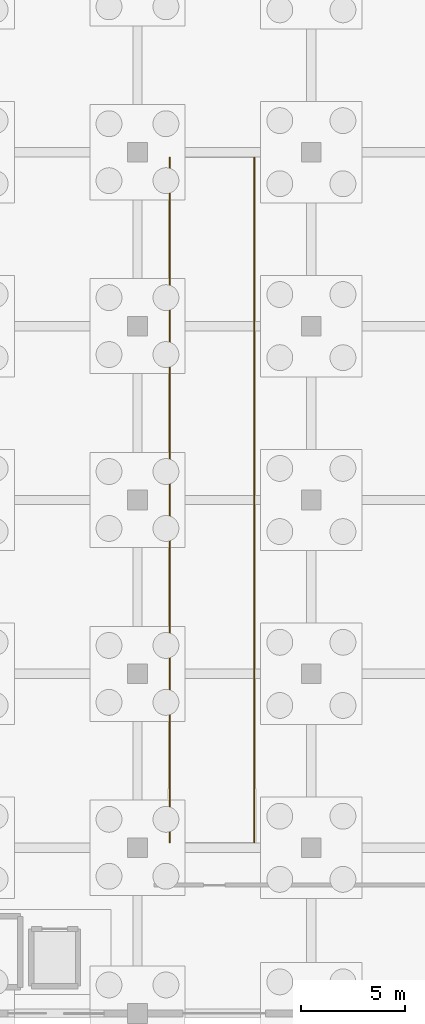
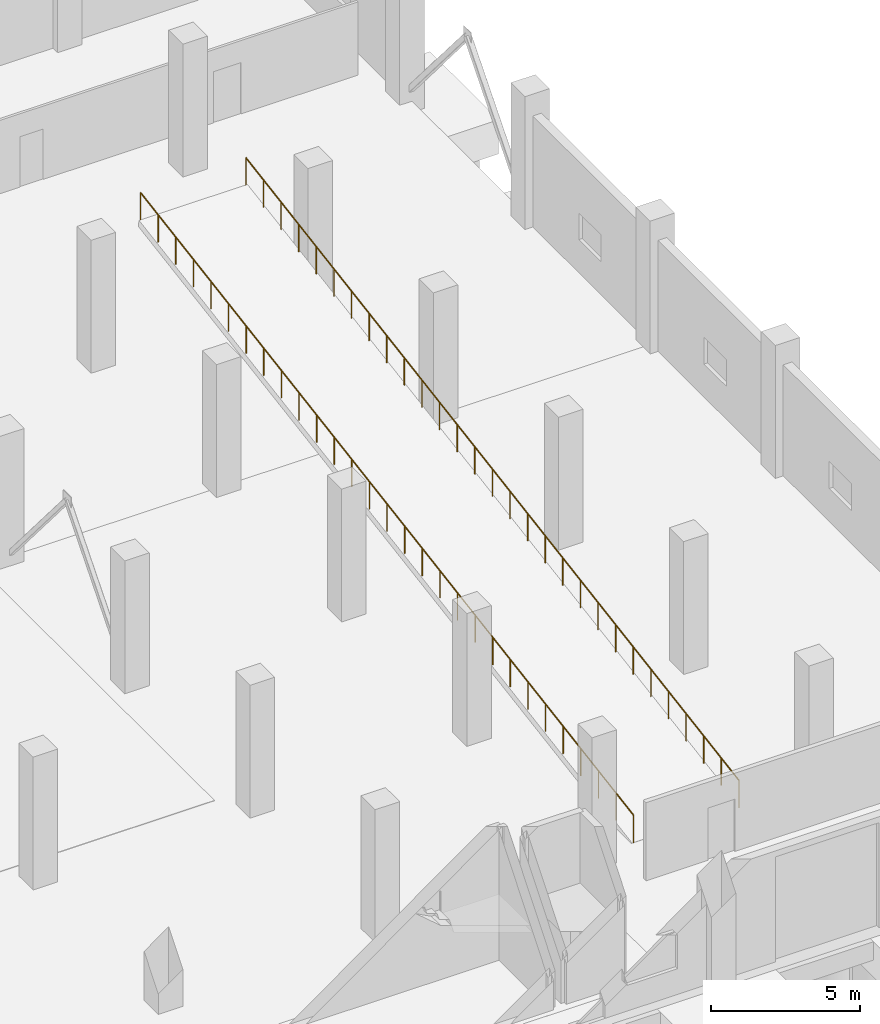
# One storey, part 80 of 83: 2 railings.
"""IFC4 building model written with IfcOpenShell, lengths in metres."""

import ifcopenshell
import ifcopenshell.guid

model = None  # the IFC model being written
_history = None  # IfcOwnerHistory: only IFC2X3 demands one
_inside = {}  # id of a spatial element -> (the spatial element, [elements in it])
_under = {}  # id of a project, library or spatial element -> (it, [spatial elements below it])
_declared = {}  # id of a project -> (the project, [libraries it declares])
_typed = {}  # id of a type object -> (the type object, [elements of that type])
_made_of = {}  # id of a material, layer set ... -> (it, [elements and type objects made of it])


def new_model(schema):
    """Start an empty IFC model of exactly this schema.

    Asked for "IFC4X3", IfcOpenShell would pick the latest addendum, in which some entities
    have other attributes; the version numbers below select the first issue.
    IFC2X3 requires an IfcOwnerHistory on every rooted entity: one is made here for all.
    """
    global model, _history
    if schema == "IFC4X3":
        model = ifcopenshell.file(schema_version=(4, 3, 0, 0))
    else:
        model = ifcopenshell.file(schema=schema)
    _inside.clear()
    _under.clear()
    _declared.clear()
    _typed.clear()
    _made_of.clear()
    _history = None
    if model.schema == "IFC2X3":
        org = make("IfcOrganization", Name="unknown")
        user = make(
            "IfcPersonAndOrganization",
            ThePerson=make("IfcPerson", FamilyName="unknown"),
            TheOrganization=org,
        )
        app = make(
            "IfcApplication",
            ApplicationDeveloper=org,
            Version="unknown",
            ApplicationFullName="unknown",
            ApplicationIdentifier="unknown",
        )
        _history = make(
            "IfcOwnerHistory",
            OwningUser=user,
            OwningApplication=app,
            ChangeAction="ADDED",
            CreationDate=0,
        )
    return model


def make(cls, **values):
    """One entity of the class cls with the attributes given. An attribute that is None is left unset."""
    return model.create_entity(
        cls, **{name: value for name, value in values.items() if value is not None}
    )


def rooted(cls, **values):
    """An entity with a GlobalId (a new one), such as an element, a storey or a relation."""
    return make(cls, GlobalId=ifcopenshell.guid.new(), OwnerHistory=_history, **values)


def si_unit(unit_type, name, prefix=None):
    """IfcSIUnit, for example si_unit("LENGTHUNIT", "METRE", prefix="MILLI")."""
    return make("IfcSIUnit", UnitType=unit_type, Prefix=prefix, Name=name)


def assignment(units):
    """IfcUnitAssignment: the units of a project."""
    return None if units is None else make("IfcUnitAssignment", Units=units)


def point(xyz):
    """IfcCartesianPoint."""
    return None if xyz is None else make("IfcCartesianPoint", Coordinates=xyz)


def direction(xyz):
    """IfcDirection."""
    return None if xyz is None else make("IfcDirection", DirectionRatios=xyz)


def frame(location, z_axis=None, x_axis=None):
    """IfcAxis2Placement3D, a coordinate frame: its origin and axes. An axis left out is left unset."""
    return make(
        "IfcAxis2Placement3D",
        Location=point(location),
        Axis=direction(z_axis),
        RefDirection=direction(x_axis),
    )


def frame_2d(location, x_axis=None):
    """IfcAxis2Placement2D, a coordinate frame in the plane: its origin and x axis."""
    return make(
        "IfcAxis2Placement2D", Location=point(location), RefDirection=direction(x_axis)
    )


def origin():
    """The frame at (0, 0, 0) with its axes left unset."""
    return frame((0.0, 0.0, 0.0))


def origin_2d():
    """The frame at (0, 0) in the plane with its x axis left unset."""
    return frame_2d((0.0, 0.0))


def place(relative_to, where):
    """IfcLocalPlacement: puts the frame where relative to a parent placement (None: the world)."""
    return make(
        "IfcLocalPlacement", PlacementRelTo=relative_to, RelativePlacement=where
    )


def context(
    kind, dimensions, precision=None, world=None, true_north=None, identifier=None
):
    """IfcGeometricRepresentationContext, for example the 3D "Model" context."""
    return make(
        "IfcGeometricRepresentationContext",
        ContextIdentifier=identifier,
        ContextType=kind,
        CoordinateSpaceDimension=dimensions,
        Precision=precision,
        WorldCoordinateSystem=world,
        TrueNorth=true_north,
    )


def subcontext(parent, identifier, kind, view, scale=None):
    """IfcGeometricRepresentationSubContext, for example "Body" below "Model"."""
    return make(
        "IfcGeometricRepresentationSubContext",
        ContextIdentifier=identifier,
        ContextType=kind,
        ParentContext=parent,
        TargetScale=scale,
        TargetView=view,
    )


def project(units=None, contexts=None):
    """IfcProject with its units and contexts."""
    return rooted(
        "IfcProject",
        Name="project",
        RepresentationContexts=contexts,
        UnitsInContext=assignment(units),
    )


def spatial(cls, under=None, at=None, **own):
    """A site, building, storey or space (cls), placed at a placement, below another one or the project."""
    s = rooted(cls, ObjectPlacement=at, **own)
    if under is not None:
        _under.setdefault(under.id(), (under, []))[1].append(s)
    return s


def profile(cls, at=None, kind="AREA", **sizes):
    """A parametric profile (cls). Its sizes go by their IFC names, for example OverallWidth=200.0."""
    return make(cls, ProfileType=kind, Position=at, **sizes)


def circle(**sizes):
    """IfcCircleProfileDef."""
    return profile("IfcCircleProfileDef", **sizes)


def extrude(swept, where, along, depth):
    """IfcExtrudedAreaSolid: the profile swept, set in the frame where, extruded along a direction by depth."""
    return make(
        "IfcExtrudedAreaSolid",
        SweptArea=swept,
        Position=where,
        ExtrudedDirection=direction(along),
        Depth=depth,
    )


def shape(context_of_items, identifier, shape_type, items):
    """IfcShapeRepresentation: the items that make up one representation, for example the "Body"."""
    return make(
        "IfcShapeRepresentation",
        ContextOfItems=context_of_items,
        RepresentationIdentifier=identifier,
        RepresentationType=shape_type,
        Items=items,
    )


def material(Name=None, Category=None):
    """IfcMaterial."""
    return make("IfcMaterial", Name=Name, Category=Category)


def made_of(thing, what):
    """Note that an element or type object is made of a material, layer set ...; save() writes the relation."""
    if what is not None:
        _made_of.setdefault(what.id(), (what, []))[1].append(thing)
    return thing


def type_object(cls, material=None, **own):
    """A type object (cls), such as IfcWallType, which elements share."""
    return made_of(rooted(cls, **own), material)


def element(
    cls,
    number,
    at=None,
    inside=None,
    cuts=None,
    type_object=None,
    material=None,
    context=None,
    identifier="Body",
    shape_type=None,
    held_by="IfcProductDefinitionShape",
    body=None,
    shapes=None,
    **own,
):
    """One element of the class cls, such as IfcWall. Its Tag is "e" and its number.

    at: its placement. inside: the storey or other place that contains it. cuts: it is an
    opening in that element (IfcRelVoidsElement). A single representation is given by context,
    identifier, shape_type and body (its items); several are given by shapes. held_by: the class
    of the entity that holds the representations. save() writes the other relations.
    """
    e = rooted(cls, Tag="e%d" % number, ObjectPlacement=at, **own)
    if body is not None:
        shapes = [shape(context, identifier, shape_type, body)]
    if shapes is not None:
        e.Representation = make(held_by, Representations=shapes)
    if inside is not None:
        _inside.setdefault(inside.id(), (inside, []))[1].append(e)
    if cuts is not None:
        rooted(
            "IfcRelVoidsElement", RelatingBuildingElement=cuts, RelatedOpeningElement=e
        )
    if type_object is not None:
        _typed.setdefault(type_object.id(), (type_object, []))[1].append(e)
    return made_of(e, material)


def aggregate(whole, parts):
    """IfcRelAggregates: a whole, such as a stair, and the parts it consists of."""
    return rooted("IfcRelAggregates", RelatingObject=whole, RelatedObjects=parts)


def save(model, path):
    """Write the relations noted so far, then the file.

    IfcRelAggregates (storeys below a building ...), IfcRelContainedInSpatialStructure (elements
    in a storey), IfcRelDefinesByType, IfcRelAssociatesMaterial and IfcRelDeclares: one each for
    every whole, place, type object, material and project.
    """
    for whole, parts in _under.values():
        aggregate(whole, parts)
    for where, things in _inside.values():
        rooted(
            "IfcRelContainedInSpatialStructure",
            RelatedElements=things,
            RelatingStructure=where,
        )
    for kind, things in _typed.values():
        rooted("IfcRelDefinesByType", RelatedObjects=things, RelatingType=kind)
    for what, things in _made_of.values():
        rooted("IfcRelAssociatesMaterial", RelatedObjects=things, RelatingMaterial=what)
    for by, libraries in _declared.values():
        rooted("IfcRelDeclares", RelatingContext=by, RelatedDefinitions=libraries)
    model.write(path)


model = new_model("IFC4")

# Units and contexts
model_context = context("Model", 3, precision=1e-05, world=origin(), true_north=direction((0.0, 1.0)))
body_context = subcontext(model_context, "Body", "Model", "MODEL_VIEW")
ifc_project = project(units=[si_unit("LENGTHUNIT", "METRE"), si_unit("AREAUNIT", "SQUARE_METRE"), si_unit("VOLUMEUNIT", "CUBIC_METRE"), si_unit("PLANEANGLEUNIT", "RADIAN"), si_unit("MASSUNIT", "GRAM", prefix="KILO"), si_unit("THERMODYNAMICTEMPERATUREUNIT", "KELVIN"), si_unit("POWERUNIT", "WATT")], contexts=[model_context])

# Site, building, storey
site_placement = place(None, origin())
site = spatial("IfcSite", under=ifc_project, at=site_placement, CompositionType="ELEMENT")
building_placement = place(site_placement, origin())
building = spatial("IfcBuilding", under=site, at=building_placement, Name="Mavoryth Pier Ferry Terminal", CompositionType="ELEMENT")
storey_placement = place(building_placement, origin())
storey = spatial("IfcBuildingStorey", under=building, at=storey_placement, Name="L00", CompositionType="ELEMENT", Elevation=0.0)

# Railings
ifc_material = material(Name="Galvanised Steel Vehicle-Deck Edge Guardrail", Category="steel")
railing_type = type_object("IfcRailingType", Name="Guard-Deck-Heavy1140", PredefinedType="GUARDRAIL", material=ifc_material)
railing_1_placement = place(storey_placement, frame((156.840087890625, 22.260009765625, 0.0)))
element("IfcRailing", 1, at=railing_1_placement, inside=storey, type_object=railing_type, Name="Ramp VR01 Rail", PredefinedType="GUARDRAIL", context=body_context, shape_type="SweptSolid", body=[
    extrude(circle(Radius=0.02392578125, at=origin_2d()), frame((0.0, 0.0, 1.11572265625), z_axis=(0.0, 0.98674669321, 0.162268183696), x_axis=(-1.0, 0.0, 0.0)), (0.0, 0.0, 1.0), 33.5244140625),
    extrude(circle(Radius=0.02099609375, at=origin_2d()), origin(), (0.0, 0.0, 1.0), 1.091796875),
    extrude(circle(Radius=0.02099609375, at=origin_2d()), frame((0.0, 1.181396484375, 0.1943359375)), (0.0, 0.0, 1.0), 1.091796875),
    extrude(circle(Radius=0.02099609375, at=origin_2d()), frame((0.0, 2.36279296875, 0.388671875)), (0.0, 0.0, 1.0), 1.091796875),
    extrude(circle(Radius=0.02099609375, at=origin_2d()), frame((0.0, 3.544189453125, 0.582763671875)), (0.0, 0.0, 1.0), 1.091796875),
    extrude(circle(Radius=0.02099609375, at=origin_2d()), frame((0.0, 4.725830078125, 0.777099609375)), (0.0, 0.0, 1.0), 1.091796875),
    extrude(circle(Radius=0.02099609375, at=origin_2d()), frame((0.0, 5.9072265625, 0.971435546875)), (0.0, 0.0, 1.0), 1.091796875),
    extrude(circle(Radius=0.02099609375, at=origin_2d()), frame((0.0, 7.088623046875, 1.165771484375)), (0.0, 0.0, 1.0), 1.091796875),
    extrude(circle(Radius=0.02099609375, at=origin_2d()), frame((0.0, 8.27001953125, 1.35986328125)), (0.0, 0.0, 1.0), 1.091796875),
    extrude(circle(Radius=0.02099609375, at=origin_2d()), frame((0.0, 9.451416015625, 1.55419921875)), (0.0, 0.0, 1.0), 1.091796875),
    extrude(circle(Radius=0.02099609375, at=origin_2d()), frame((0.0, 10.6328125, 1.74853515625)), (0.0, 0.0, 1.0), 1.091796875),
    extrude(circle(Radius=0.02099609375, at=origin_2d()), frame((0.0, 11.814208984375, 1.94287109375)), (0.0, 0.0, 1.0), 1.091796875),
    extrude(circle(Radius=0.02099609375, at=origin_2d()), frame((0.0, 12.995849609375, 2.13720703125)), (0.0, 0.0, 1.0), 1.091796875),
    extrude(circle(Radius=0.02099609375, at=origin_2d()), frame((0.0, 14.17724609375, 2.331298828125)), (0.0, 0.0, 1.0), 1.091796875),
    extrude(circle(Radius=0.02099609375, at=origin_2d()), frame((0.0, 15.358642578125, 2.525634765625)), (0.0, 0.0, 1.0), 1.091796875),
    extrude(circle(Radius=0.02099609375, at=origin_2d()), frame((0.0, 16.5400390625, 2.719970703125)), (0.0, 0.0, 1.0), 1.091796875),
    extrude(circle(Radius=0.02099609375, at=origin_2d()), frame((0.0, 17.721435546875, 2.914306640625)), (0.0, 0.0, 1.0), 1.091796875),
    extrude(circle(Radius=0.02099609375, at=origin_2d()), frame((0.0, 18.90283203125, 3.108642578125)), (0.0, 0.0, 1.0), 1.091796875),
    extrude(circle(Radius=0.02099609375, at=origin_2d()), frame((0.0, 20.084228515625, 3.302734375)), (0.0, 0.0, 1.0), 1.091796875),
    extrude(circle(Radius=0.02099609375, at=origin_2d()), frame((0.0, 21.265869140625, 3.4970703125)), (0.0, 0.0, 1.0), 1.091796875),
    extrude(circle(Radius=0.02099609375, at=origin_2d()), frame((0.0, 22.447265625, 3.69140625)), (0.0, 0.0, 1.0), 1.091796875),
    extrude(circle(Radius=0.02099609375, at=origin_2d()), frame((0.0, 23.628662109375, 3.8857421875)), (0.0, 0.0, 1.0), 1.091796875),
    extrude(circle(Radius=0.02099609375, at=origin_2d()), frame((0.0, 24.81005859375, 4.080078125)), (0.0, 0.0, 1.0), 1.091796875),
    extrude(circle(Radius=0.02099609375, at=origin_2d()), frame((0.0, 25.991455078125, 4.274169921875)), (0.0, 0.0, 1.0), 1.091796875),
    extrude(circle(Radius=0.02099609375, at=origin_2d()), frame((0.0, 27.1728515625, 4.468505859375)), (0.0, 0.0, 1.0), 1.091796875),
    extrude(circle(Radius=0.02099609375, at=origin_2d()), frame((0.0, 28.354248046875, 4.662841796875)), (0.0, 0.0, 1.0), 1.091796875),
    extrude(circle(Radius=0.02099609375, at=origin_2d()), frame((0.0, 29.535888671875, 4.857177734375)), (0.0, 0.0, 1.0), 1.091796875),
    extrude(circle(Radius=0.02099609375, at=origin_2d()), frame((0.0, 30.71728515625, 5.05126953125)), (0.0, 0.0, 1.0), 1.091796875),
    extrude(circle(Radius=0.02099609375, at=origin_2d()), frame((0.0, 31.898681640625, 5.24560546875)), (0.0, 0.0, 1.0), 1.091796875),
    extrude(circle(Radius=0.02099609375, at=origin_2d()), frame((0.0, 33.080078125, 5.43994140625)), (0.0, 0.0, 1.0), 1.091796875),
])
railing_2_placement = place(storey_placement, frame((152.760009765625, 22.260009765625, 0.0)))
element("IfcRailing", 2, at=railing_2_placement, inside=storey, type_object=railing_type, Name="Ramp VR01 Rail", PredefinedType="GUARDRAIL", context=body_context, shape_type="SweptSolid", body=[
    extrude(circle(Radius=0.02392578125, at=origin_2d()), frame((0.0, 0.0, 1.11572265625), z_axis=(0.0, 0.98674669321, 0.162268183696), x_axis=(-1.0, 0.0, 0.0)), (0.0, 0.0, 1.0), 33.5244140625),
    extrude(circle(Radius=0.02099609375, at=origin_2d()), origin(), (0.0, 0.0, 1.0), 1.091796875),
    extrude(circle(Radius=0.02099609375, at=origin_2d()), frame((0.0, 1.181396484375, 0.1943359375)), (0.0, 0.0, 1.0), 1.091796875),
    extrude(circle(Radius=0.02099609375, at=origin_2d()), frame((0.0, 2.36279296875, 0.388671875)), (0.0, 0.0, 1.0), 1.091796875),
    extrude(circle(Radius=0.02099609375, at=origin_2d()), frame((0.0, 3.544189453125, 0.582763671875)), (0.0, 0.0, 1.0), 1.091796875),
    extrude(circle(Radius=0.02099609375, at=origin_2d()), frame((0.0, 4.725830078125, 0.777099609375)), (0.0, 0.0, 1.0), 1.091796875),
    extrude(circle(Radius=0.02099609375, at=origin_2d()), frame((0.0, 5.9072265625, 0.971435546875)), (0.0, 0.0, 1.0), 1.091796875),
    extrude(circle(Radius=0.02099609375, at=origin_2d()), frame((0.0, 7.088623046875, 1.165771484375)), (0.0, 0.0, 1.0), 1.091796875),
    extrude(circle(Radius=0.02099609375, at=origin_2d()), frame((0.0, 8.27001953125, 1.35986328125)), (0.0, 0.0, 1.0), 1.091796875),
    extrude(circle(Radius=0.02099609375, at=origin_2d()), frame((0.0, 9.451416015625, 1.55419921875)), (0.0, 0.0, 1.0), 1.091796875),
    extrude(circle(Radius=0.02099609375, at=origin_2d()), frame((0.0, 10.6328125, 1.74853515625)), (0.0, 0.0, 1.0), 1.091796875),
    extrude(circle(Radius=0.02099609375, at=origin_2d()), frame((0.0, 11.814208984375, 1.94287109375)), (0.0, 0.0, 1.0), 1.091796875),
    extrude(circle(Radius=0.02099609375, at=origin_2d()), frame((0.0, 12.995849609375, 2.13720703125)), (0.0, 0.0, 1.0), 1.091796875),
    extrude(circle(Radius=0.02099609375, at=origin_2d()), frame((0.0, 14.17724609375, 2.331298828125)), (0.0, 0.0, 1.0), 1.091796875),
    extrude(circle(Radius=0.02099609375, at=origin_2d()), frame((0.0, 15.358642578125, 2.525634765625)), (0.0, 0.0, 1.0), 1.091796875),
    extrude(circle(Radius=0.02099609375, at=origin_2d()), frame((0.0, 16.5400390625, 2.719970703125)), (0.0, 0.0, 1.0), 1.091796875),
    extrude(circle(Radius=0.02099609375, at=origin_2d()), frame((0.0, 17.721435546875, 2.914306640625)), (0.0, 0.0, 1.0), 1.091796875),
    extrude(circle(Radius=0.02099609375, at=origin_2d()), frame((0.0, 18.90283203125, 3.108642578125)), (0.0, 0.0, 1.0), 1.091796875),
    extrude(circle(Radius=0.02099609375, at=origin_2d()), frame((0.0, 20.084228515625, 3.302734375)), (0.0, 0.0, 1.0), 1.091796875),
    extrude(circle(Radius=0.02099609375, at=origin_2d()), frame((0.0, 21.265869140625, 3.4970703125)), (0.0, 0.0, 1.0), 1.091796875),
    extrude(circle(Radius=0.02099609375, at=origin_2d()), frame((0.0, 22.447265625, 3.69140625)), (0.0, 0.0, 1.0), 1.091796875),
    extrude(circle(Radius=0.02099609375, at=origin_2d()), frame((0.0, 23.628662109375, 3.8857421875)), (0.0, 0.0, 1.0), 1.091796875),
    extrude(circle(Radius=0.02099609375, at=origin_2d()), frame((0.0, 24.81005859375, 4.080078125)), (0.0, 0.0, 1.0), 1.091796875),
    extrude(circle(Radius=0.02099609375, at=origin_2d()), frame((0.0, 25.991455078125, 4.274169921875)), (0.0, 0.0, 1.0), 1.091796875),
    extrude(circle(Radius=0.02099609375, at=origin_2d()), frame((0.0, 27.1728515625, 4.468505859375)), (0.0, 0.0, 1.0), 1.091796875),
    extrude(circle(Radius=0.02099609375, at=origin_2d()), frame((0.0, 28.354248046875, 4.662841796875)), (0.0, 0.0, 1.0), 1.091796875),
    extrude(circle(Radius=0.02099609375, at=origin_2d()), frame((0.0, 29.535888671875, 4.857177734375)), (0.0, 0.0, 1.0), 1.091796875),
    extrude(circle(Radius=0.02099609375, at=origin_2d()), frame((0.0, 30.71728515625, 5.05126953125)), (0.0, 0.0, 1.0), 1.091796875),
    extrude(circle(Radius=0.02099609375, at=origin_2d()), frame((0.0, 31.898681640625, 5.24560546875)), (0.0, 0.0, 1.0), 1.091796875),
    extrude(circle(Radius=0.02099609375, at=origin_2d()), frame((0.0, 33.080078125, 5.43994140625)), (0.0, 0.0, 1.0), 1.091796875),
])

save(model, "model.ifc")
